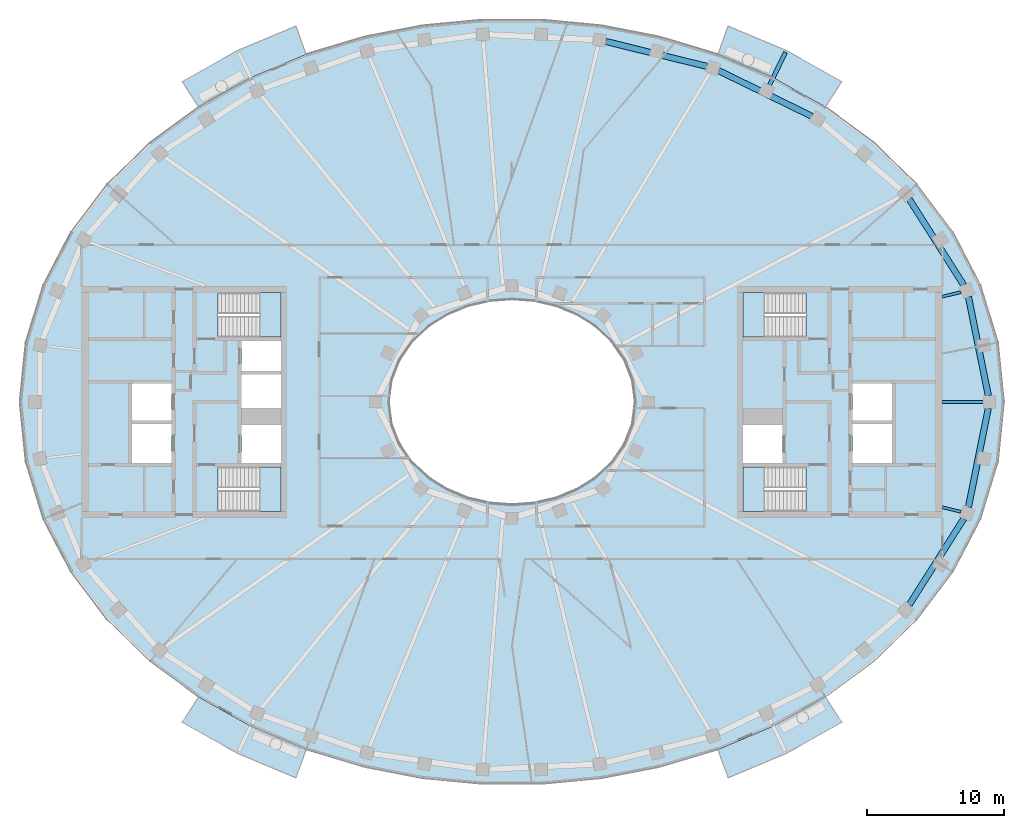
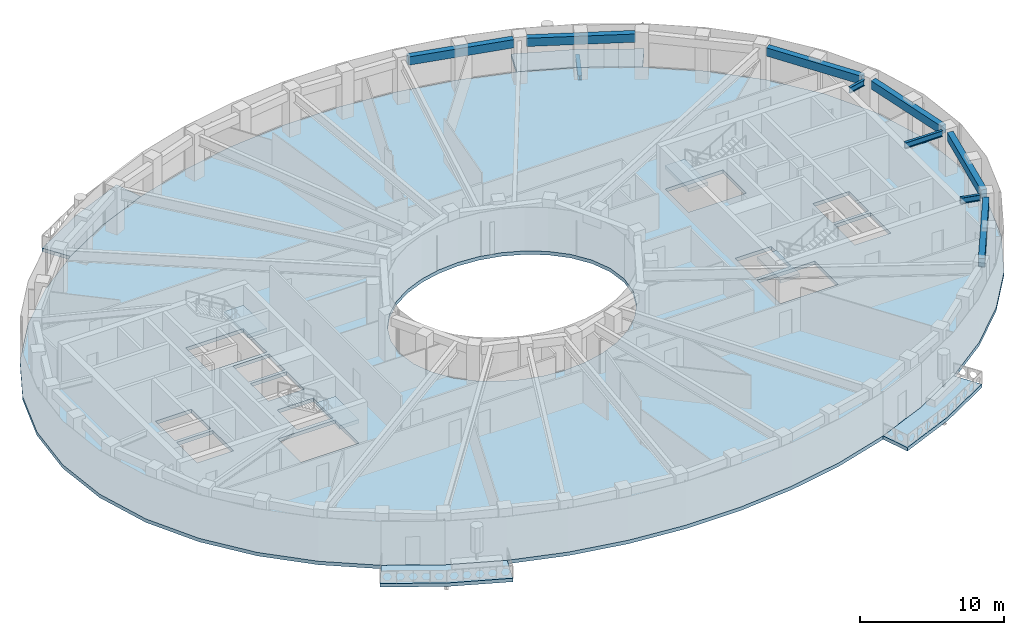
# One storey, part 2 of 15: 10 beams, 9 slabs, 4 elements without a shape of their own.
"""IFC4 building model written with IfcOpenShell, lengths in metres."""

from ifc_helpers import new_model, si_unit, direction, frame, origin, origin_2d, place, context, subcontext, project, spatial, polyline, rectangle, i_section, outline, extrude, material, layer, layer_set, material_profile, profile_set, type_object, element, aggregate, save


model = new_model("IFC4")

# Units and contexts
model_context = context("Model", 3, precision=1e-05, world=origin(), true_north=direction((0.0, 1.0)))
body_context = subcontext(model_context, "Body", "Model", "MODEL_VIEW")
ifc_project = project(units=[si_unit("LENGTHUNIT", "METRE"), si_unit("AREAUNIT", "SQUARE_METRE"), si_unit("VOLUMEUNIT", "CUBIC_METRE"), si_unit("PLANEANGLEUNIT", "RADIAN"), si_unit("MASSUNIT", "GRAM", prefix="KILO")], contexts=[model_context])

# Site, building, storey
site_placement = place(None, origin())
site = spatial("IfcSite", under=ifc_project, at=site_placement, CompositionType="ELEMENT")
building_placement = place(site_placement, origin())
building = spatial("IfcBuilding", under=site, at=building_placement, Name="Noorbagh Ring Tower", CompositionType="ELEMENT")
storey_placement = place(building_placement, frame((0.0, 0.0, 295.0)))
storey = spatial("IfcBuildingStorey", under=building, at=storey_placement, Name="L63", CompositionType="ELEMENT", Elevation=295.0)

# Beams
ifc_material_1 = material(Name="Steel S355", Category="steel")
ifc_material_profile_1 = material_profile(ifc_material_1, i_section(OverallWidth=0.300048828125, OverallDepth=0.39990234375, WebThickness=0.013427734375, FlangeThickness=0.02392578125, FilletRadius=0.027099609375, at=origin_2d()), Name="HEB400")
ifc_profile_set_1 = profile_set([ifc_material_profile_1], Name="Steel S355")
beam_type_1 = type_object("IfcBeamType", Name="STR-BALCONY-BRACKET-HEB400", PredefinedType="BEAM", material=ifc_profile_set_1)
beam_1_placement = place(storey_placement, frame((18.84619140625, 23.194091796875, -0.5), z_axis=(0.439236567713, 0.898371436313, 0.0), x_axis=(-0.898371436313, 0.439236567713, 0.0)))
element("IfcBeam", 1, at=beam_1_placement, inside=storey, type_object=beam_type_1, Name="Balcony bracket beam BN02", PredefinedType="BEAM", context=body_context, shape_type="SweptSolid", body=[
    extrude(i_section(OverallWidth=0.300048828125, OverallDepth=0.39990234375, WebThickness=0.013427734375, FlangeThickness=0.02392578125, FilletRadius=0.027099609375, at=origin_2d()), origin(), (0.0, 0.0, 1.0), 2.650146484375),
])
ifc_material_2 = material(Name="Steel S355", Category="steel")
ifc_material_profile_2 = material_profile(ifc_material_2, i_section(OverallWidth=0.199951171875, OverallDepth=0.5, WebThickness=0.01025390625, FlangeThickness=0.01611328125, FilletRadius=0.02099609375, at=origin_2d()), Name="IPE500")
ifc_profile_set_2 = profile_set([ifc_material_profile_2], Name="Steel S355")
beam_type_2 = type_object("IfcBeamType", Name="STR-RAD-IPE500", PredefinedType="BEAM", material=ifc_profile_set_2)
beam_2_placement = place(storey_placement, frame((34.48974609375, 0.0, 3.449951171875), z_axis=(-1.0, 0.0, 0.0), x_axis=(0.0, -1.0, 0.0)))
element("IfcBeam", 2, at=beam_2_placement, inside=storey, type_object=beam_type_2, Name="L63/bm/RD01", PredefinedType="BEAM", context=body_context, shape_type="SweptSolid", body=[
    extrude(i_section(OverallWidth=0.199951171875, OverallDepth=0.5, WebThickness=0.01025390625, FlangeThickness=0.01611328125, FilletRadius=0.02099609375, at=origin_2d()), origin(), (0.0, 0.0, 1.0), 3.009765625),
])
for number, where, z_axis, x_axis, name in (
    (3, (32.858154296875, 8.0400390625, 3.449951171875), (-0.971335445274, -0.237712962949, 0.0), (0.237712962949, -0.971335445274, 0.0), "L63/bm/RD03"),
    (4, (32.858154296875, -8.0400390625, 3.449951171875), (-0.971335445274, 0.237712962949, 0.0), (-0.237712962949, -0.971335445274, 0.0), "L63/bm/RD45"),
):
    element("IfcBeam", number, at=place(storey_placement, frame(where, z_axis=z_axis, x_axis=x_axis)), inside=storey, type_object=beam_type_2, Name=name, PredefinedType="BEAM", context=body_context, shape_type="SweptSolid", body=[
        extrude(i_section(OverallWidth=0.199951171875, OverallDepth=0.5, WebThickness=0.01025390625, FlangeThickness=0.01611328125, FilletRadius=0.02099609375, at=origin_2d()), origin(), (0.0, 0.0, 1.0), 1.41845703125),
    ])
ifc_material_3 = material(Name="Concrete C40/50", Category="concrete")
ifc_material_profile_3 = material_profile(ifc_material_3, rectangle(XDim=0.449951171875, YDim=0.699951171875, at=origin_2d()), Name="RC450x700")
ifc_profile_set_3 = profile_set([ifc_material_profile_3], Name="Concrete C40/50")
beam_type_3 = type_object("IfcBeamType", Name="STR-SB-RC450x700-C40-50", PredefinedType="BEAM", material=ifc_profile_set_3)
beam_3_placement = place(storey_placement, frame((34.85302734375, 0.455322265625, 3.35009765625), z_axis=(-0.197209573264, 0.980361353896, 0.0), x_axis=(-0.980361353896, -0.197209573264, 0.0)))
element("IfcBeam", 5, at=beam_3_placement, inside=storey, type_object=beam_type_3, Name="L63/bm/SP01", PredefinedType="BEAM", context=body_context, shape_type="SweptSolid", body=[
    extrude(rectangle(XDim=0.449951171875, YDim=0.699951171875, at=origin_2d()), origin(), (0.0, 0.0, 1.0), 7.384521484375),
])
beam_4_placement = place(storey_placement, frame((33.0576171875, 8.5400390625, 3.35009765625), z_axis=(-0.535175885378, 0.84474065352, 0.0), x_axis=(-0.84474065352, -0.535175885378, 0.0)))
element("IfcBeam", 6, at=beam_4_placement, inside=storey, type_object=beam_type_3, Name="L63/bm/SP03", PredefinedType="BEAM", context=body_context, shape_type="SweptSolid", body=[
    extrude(rectangle(XDim=0.449951171875, YDim=0.699951171875, at=origin_2d()), origin(), (0.0, 0.0, 1.0), 7.459228515625),
])
beam_5_placement = place(storey_placement, frame((21.9501953125, 20.9013671875, 3.35009765625), z_axis=(-0.898405762579, 0.43916635318, 0.0), x_axis=(-0.43916635318, -0.898405762579, 0.0)))
element("IfcBeam", 7, at=beam_5_placement, inside=storey, type_object=beam_type_3, Name="L63/bm/SP07", PredefinedType="BEAM", context=body_context, shape_type="SweptSolid", body=[
    extrude(rectangle(XDim=0.449951171875, YDim=0.699951171875, at=origin_2d()), origin(), (0.0, 0.0, 1.0), 7.6015625),
])
beam_6_placement = place(storey_placement, frame((14.265380859375, 24.550537109375, 3.35009765625), z_axis=(-0.970830763324, 0.239765779427, 0.0), x_axis=(-0.239765779427, -0.970830763324, 0.0)))
element("IfcBeam", 8, at=beam_6_placement, inside=storey, type_object=beam_type_3, Name="L63/bm/SP09", PredefinedType="BEAM", context=body_context, shape_type="SweptSolid", body=[
    extrude(rectangle(XDim=0.449951171875, YDim=0.699951171875, at=origin_2d()), origin(), (0.0, 0.0, 1.0), 7.634765625),
])
beam_7_placement = place(storey_placement, frame((29.065673828125, -14.841064453125, 3.35009765625), z_axis=(0.535175885378, 0.84474065352, 0.0), x_axis=(-0.84474065352, 0.535175885378, 0.0)))
element("IfcBeam", 9, at=beam_7_placement, inside=storey, type_object=beam_type_3, Name="L63/bm/SP43", PredefinedType="BEAM", context=body_context, shape_type="SweptSolid", body=[
    extrude(rectangle(XDim=0.449951171875, YDim=0.699951171875, at=origin_2d()), origin(), (0.0, 0.0, 1.0), 7.459228515625),
])
beam_8_placement = place(storey_placement, frame((33.396728515625, -7.69482421875, 3.35009765625), z_axis=(0.197209573264, 0.980361353896, 0.0), x_axis=(-0.980361353896, 0.197209573264, 0.0)))
element("IfcBeam", 10, at=beam_8_placement, inside=storey, type_object=beam_type_3, Name="L63/bm/SP45", PredefinedType="BEAM", context=body_context, shape_type="SweptSolid", body=[
    extrude(rectangle(XDim=0.449951171875, YDim=0.699951171875, at=origin_2d()), origin(), (0.0, 0.0, 1.0), 7.384521484375),
])

# Stair, slab
ifc_material_4 = material(Name="Concrete C40/50", Category="concrete")
stair_type = type_object("IfcStairType", Name="CORE-STAIR", PredefinedType="HALF_TURN_STAIR", material=ifc_material_4)
stair_1_placement = place(storey_placement, origin())
stair_1 = element("IfcStair", 11, at=stair_1_placement, inside=storey, type_object=stair_type, Name="L63 Exit stair ST1", PredefinedType="HALF_TURN_STAIR")
ifc_material_5 = material(Name="Concrete C40/50", Category="concrete")
ifc_layer_1 = layer(ifc_material_5, 0.300048828125)
ifc_layer_set_1 = layer_set([ifc_layer_1], Name="Concrete C40/50")
slab_type_1 = type_object("IfcSlabType", Name="CORE-STAIR-LANDING", PredefinedType="LANDING", material=ifc_layer_set_1)
slab_1_placement = place(storey_placement, frame((0.0, 0.0, 1.699951171875)))
slab_1 = element("IfcSlab", 12, at=slab_1_placement, type_object=slab_type_1, Name="ST1 landing 1", PredefinedType="LANDING", context=body_context, shape_type="SweptSolid", body=[
    extrude(outline(polyline([(-18.449951171875, 4.75), (-16.89990234375, 4.75), (-16.89990234375, 8.0), (-18.449951171875, 8.0), (-18.449951171875, 4.75)])), origin(), (0.0, 0.0, 1.0), 0.300048828125),
])
aggregate(stair_1, [slab_1])

stair_2_placement = place(storey_placement, origin())
stair_2 = element("IfcStair", 13, at=stair_2_placement, inside=storey, type_object=stair_type, Name="L63 Exit stair ST2", PredefinedType="HALF_TURN_STAIR")
slab_2_placement = place(storey_placement, frame((0.0, 0.0, 1.699951171875)))
slab_2 = element("IfcSlab", 14, at=slab_2_placement, type_object=slab_type_1, Name="ST2 landing 1", PredefinedType="LANDING", context=body_context, shape_type="SweptSolid", body=[
    extrude(outline(polyline([(-18.449951171875, -8.0), (-16.89990234375, -8.0), (-16.89990234375, -4.75), (-18.449951171875, -4.75), (-18.449951171875, -8.0)])), origin(), (0.0, 0.0, 1.0), 0.300048828125),
])
aggregate(stair_2, [slab_2])

stair_3_placement = place(storey_placement, origin())
stair_3 = element("IfcStair", 15, at=stair_3_placement, inside=storey, type_object=stair_type, Name="L63 Exit stair ST3", PredefinedType="HALF_TURN_STAIR")
slab_3_placement = place(storey_placement, frame((0.0, 0.0, 1.699951171875)))
slab_3 = element("IfcSlab", 16, at=slab_3_placement, type_object=slab_type_1, Name="ST3 landing 1", PredefinedType="LANDING", context=body_context, shape_type="SweptSolid", body=[
    extrude(outline(polyline([(18.449951171875, 8.0), (16.89990234375, 8.0), (16.89990234375, 4.75), (18.449951171875, 4.75), (18.449951171875, 8.0)])), origin(), (0.0, 0.0, 1.0), 0.300048828125),
])
aggregate(stair_3, [slab_3])

stair_4_placement = place(storey_placement, origin())
stair_4 = element("IfcStair", 17, at=stair_4_placement, inside=storey, type_object=stair_type, Name="L63 Exit stair ST4", PredefinedType="HALF_TURN_STAIR")
slab_4_placement = place(storey_placement, frame((0.0, 0.0, 1.699951171875)))
slab_4 = element("IfcSlab", 18, at=slab_4_placement, type_object=slab_type_1, Name="ST4 landing 1", PredefinedType="LANDING", context=body_context, shape_type="SweptSolid", body=[
    extrude(outline(polyline([(18.449951171875, -4.75), (16.89990234375, -4.75), (16.89990234375, -8.0), (18.449951171875, -8.0), (18.449951171875, -4.75)])), origin(), (0.0, 0.0, 1.0), 0.300048828125),
])
aggregate(stair_4, [slab_4])

# Slabs
ifc_material_6 = material(Name="Concrete C40/50", Category="concrete")
ifc_layer_2 = layer(ifc_material_6, 0.300048828125)
ifc_layer_set_2 = layer_set([ifc_layer_2], Name="Concrete C40/50")
slab_type_2 = type_object("IfcSlabType", Name="ENV-BALCONY DECK 300", PredefinedType="FLOOR", material=ifc_layer_set_2)
slab_5_placement = place(storey_placement, frame((0.0, 0.0, -0.300048828125)))
element("IfcSlab", 19, at=slab_5_placement, inside=storey, type_object=slab_type_2, Name="Tree balcony deck BN02", PredefinedType="FLOOR", context=body_context, shape_type="SweptSolid", body=[
    extrude(outline(polyline([(24.1279296875, 23.435791015625), (20.076171875, 25.709716796875), (15.810791015625, 27.50341796875), (15.0654296875, 25.430419921875), (19.108154296875, 23.730224609375), (22.9326171875, 21.583740234375), (24.1279296875, 23.435791015625)])), origin(), (0.0, 0.0, 1.0), 0.300048828125),
])
slab_6_placement = place(storey_placement, frame((0.0, 0.0, -0.300048828125)))
element("IfcSlab", 20, at=slab_6_placement, inside=storey, type_object=slab_type_2, Name="Tree balcony deck BN05", PredefinedType="FLOOR", context=body_context, shape_type="SweptSolid", body=[
    extrude(outline(polyline([(-15.810791015625, 27.50341796875), (-20.076171875, 25.709716796875), (-24.1279296875, 23.435791015625), (-22.9326171875, 21.583740234375), (-19.108154296875, 23.730224609375), (-15.0654296875, 25.430419921875), (-15.810791015625, 27.50341796875)])), origin(), (0.0, 0.0, 1.0), 0.300048828125),
])
slab_7_placement = place(storey_placement, frame((0.0, 0.0, -0.300048828125)))
element("IfcSlab", 21, at=slab_7_placement, inside=storey, type_object=slab_type_2, Name="Tree balcony deck BS02", PredefinedType="FLOOR", context=body_context, shape_type="SweptSolid", body=[
    extrude(outline(polyline([(-24.1279296875, -23.435791015625), (-20.076171875, -25.709716796875), (-15.810791015625, -27.50341796875), (-15.0654296875, -25.430419921875), (-19.108154296875, -23.730224609375), (-22.9326171875, -21.583740234375), (-24.1279296875, -23.435791015625)])), origin(), (0.0, 0.0, 1.0), 0.300048828125),
])
slab_8_placement = place(storey_placement, frame((0.0, 0.0, -0.300048828125)))
element("IfcSlab", 22, at=slab_8_placement, inside=storey, type_object=slab_type_2, Name="Tree balcony deck BS05", PredefinedType="FLOOR", context=body_context, shape_type="SweptSolid", body=[
    extrude(outline(polyline([(15.810791015625, -27.50341796875), (20.076171875, -25.709716796875), (24.1279296875, -23.435791015625), (22.9326171875, -21.583740234375), (19.108154296875, -23.730224609375), (15.0654296875, -25.430419921875), (15.810791015625, -27.50341796875)])), origin(), (0.0, 0.0, 1.0), 0.300048828125),
])
ifc_material_7 = material(Name="Concrete C40/50", Category="concrete")
ifc_layer_3 = layer(ifc_material_7, 0.300048828125)
ifc_layer_set_3 = layer_set([ifc_layer_3], Name="Concrete C40/50")
slab_type_3 = type_object("IfcSlabType", Name="STR-FLOOR-DECK-300", PredefinedType="FLOOR", material=ifc_layer_set_3)
slab_9_placement = place(storey_placement, frame((0.0, 0.0, -0.300048828125)))
element("IfcSlab", 23, at=slab_9_placement, inside=storey, type_object=slab_type_3, Name="L63/slab/1", PredefinedType="FLOOR", context=body_context, shape_type="SweptSolid", body=[
    extrude(outline(polyline([(36.0, 0.0), (35.56103515625, 4.358642578125), (34.281005859375, 8.548828125), (32.255126953125, 12.434814453125), (29.607666015625, 15.92822265625), (26.463134765625, 18.983154296875), (22.9326171875, 21.583740234375), (19.108154296875, 23.730224609375), (15.0654296875, 25.430419921875), (10.865234375, 26.6943359375), (6.5595703125, 27.53125), (2.193115234375, 27.947998046875), (-2.193115234375, 27.947998046875), (-6.5595703125, 27.53125), (-10.865234375, 26.6943359375), (-15.0654296875, 25.430419921875), (-19.108154296875, 23.730224609375), (-22.9326171875, 21.583740234375), (-26.463134765625, 18.983154296875), (-29.607666015625, 15.92822265625), (-32.255126953125, 12.434814453125), (-34.281005859375, 8.548828125), (-35.56103515625, 4.358642578125), (-36.0, 0.0), (-35.56103515625, -4.358642578125), (-34.281005859375, -8.548828125), (-32.255126953125, -12.434814453125), (-29.607666015625, -15.92822265625), (-26.463134765625, -18.983154296875), (-22.9326171875, -21.583740234375), (-19.108154296875, -23.730224609375), (-15.0654296875, -25.430419921875), (-10.865234375, -26.6943359375), (-6.5595703125, -27.53125), (-2.193115234375, -27.947998046875), (2.193115234375, -27.947998046875), (6.5595703125, -27.53125), (10.865234375, -26.6943359375), (15.0654296875, -25.430419921875), (19.108154296875, -23.730224609375), (22.9326171875, -21.583740234375), (26.463134765625, -18.983154296875), (29.607666015625, -15.92822265625), (32.255126953125, -12.434814453125), (34.281005859375, -8.548828125), (35.56103515625, -4.358642578125), (36.0, 0.0)]), holes=[polyline([(24.89990234375, -1.60009765625), (27.800048828125, -1.60009765625), (27.800048828125, -4.449951171875), (24.89990234375, -4.449951171875), (24.89990234375, -1.60009765625)]), polyline([(24.89990234375, 1.35009765625), (27.800048828125, 1.35009765625), (27.800048828125, -1.35009765625), (24.89990234375, -1.35009765625), (24.89990234375, 1.35009765625)]), polyline([(21.529541015625, -8.0), (16.89990234375, -8.0), (16.89990234375, -4.75), (21.529541015625, -4.75), (21.529541015625, -8.0)]), polyline([(21.529541015625, 4.75), (16.89990234375, 4.75), (16.89990234375, 8.0), (21.529541015625, 8.0), (21.529541015625, 4.75)]), polyline([(16.89990234375, -1.699951171875), (19.800048828125, -1.699951171875), (19.800048828125, -4.449951171875), (16.89990234375, -4.449951171875), (16.89990234375, -1.699951171875)]), polyline([(4.697509765625, -6.3974609375), (3.196533203125, -7.010986328125), (1.6171875, -7.3779296875), (0.0, -7.5), (-1.6171875, -7.3779296875), (-3.196533203125, -7.010986328125), (-4.697509765625, -6.3974609375), (-6.071044921875, -5.53662109375), (-7.2587890625, -4.43408203125), (-8.1904296875, -3.10888671875), (-8.79150390625, -1.605224609375), (-9.0, 0.0), (-8.79150390625, 1.605224609375), (-8.1904296875, 3.10888671875), (-7.2587890625, 4.43408203125), (-6.071044921875, 5.53662109375), (-4.697509765625, 6.3974609375), (-3.196533203125, 7.010986328125), (-1.6171875, 7.3779296875), (0.0, 7.5), (1.6171875, 7.3779296875), (3.196533203125, 7.010986328125), (4.697509765625, 6.3974609375), (6.071044921875, 5.53662109375), (7.2587890625, 4.43408203125), (8.1904296875, 3.10888671875), (8.79150390625, 1.605224609375), (9.0, 0.0), (8.79150390625, -1.605224609375), (8.1904296875, -3.10888671875), (7.2587890625, -4.43408203125), (6.071044921875, -5.53662109375), (4.697509765625, -6.3974609375)]), polyline([(-21.529541015625, -8.0), (-21.529541015625, -4.75), (-16.89990234375, -4.75), (-16.89990234375, -8.0), (-21.529541015625, -8.0)]), polyline([(-21.529541015625, 4.75), (-21.529541015625, 8.0), (-16.89990234375, 8.0), (-16.89990234375, 4.75), (-21.529541015625, 4.75)]), polyline([(-16.89990234375, -4.449951171875), (-19.800048828125, -4.449951171875), (-19.800048828125, -1.699951171875), (-16.89990234375, -1.699951171875), (-16.89990234375, -4.449951171875)]), polyline([(-16.89990234375, -0.449951171875), (-19.800048828125, -0.449951171875), (-19.800048828125, 2.0), (-16.89990234375, 2.0), (-16.89990234375, -0.449951171875)]), polyline([(-16.89990234375, 2.25), (-19.800048828125, 2.25), (-19.800048828125, 4.449951171875), (-16.89990234375, 4.449951171875), (-16.89990234375, 2.25)]), polyline([(-24.89990234375, -4.449951171875), (-27.800048828125, -4.449951171875), (-27.800048828125, -1.60009765625), (-24.89990234375, -1.60009765625), (-24.89990234375, -4.449951171875)]), polyline([(-24.89990234375, 1.35009765625), (-24.89990234375, -1.35009765625), (-27.800048828125, -1.35009765625), (-27.800048828125, 1.35009765625), (-24.89990234375, 1.35009765625)])]), origin(), (0.0, 0.0, 1.0), 0.300048828125),
])

save(model, "model.ifc")
